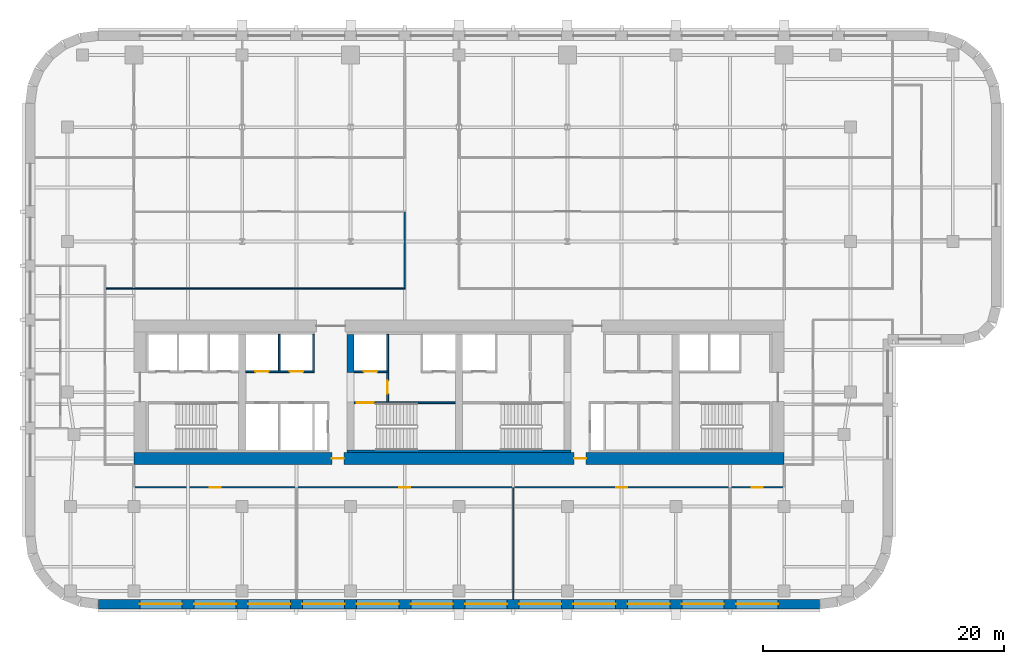
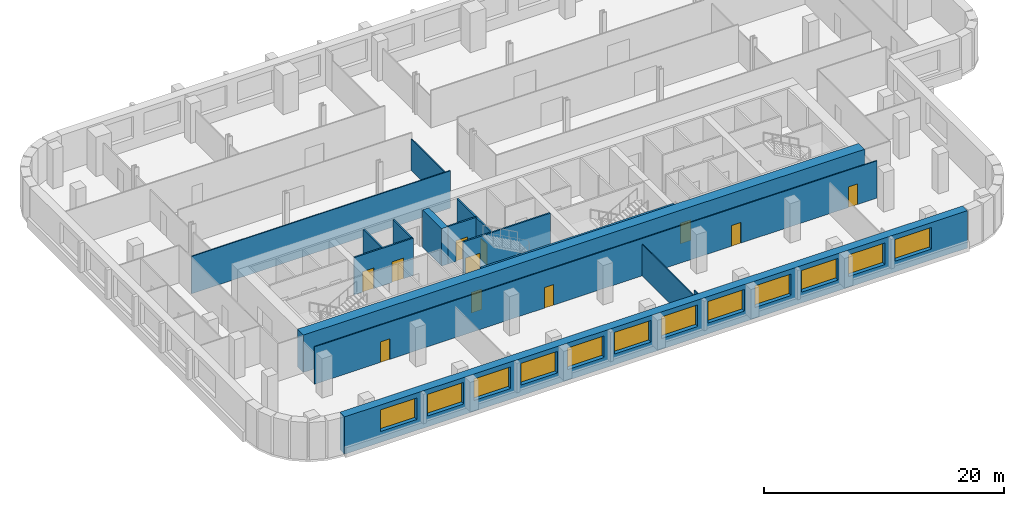
# One storey, part 4 of 10: 16 walls, 12 windows, 11 doors, 23 openings.
"""IFC4 building model written with IfcOpenShell, lengths in metres."""

from ifc_helpers import new_model, si_unit, direction, frame, frame_2d, origin, place, context, subcontext, project, spatial, rectangle, extrude, material, layer, layer_set, type_object, element, fill, save


model = new_model("IFC4")

# Units and contexts
model_context = context("Model", 3, precision=1e-05, world=origin(), true_north=direction((0.0, 1.0)))
body_context = subcontext(model_context, "Body", "Model", "MODEL_VIEW")
ifc_project = project(units=[si_unit("LENGTHUNIT", "METRE"), si_unit("AREAUNIT", "SQUARE_METRE"), si_unit("VOLUMEUNIT", "CUBIC_METRE"), si_unit("PLANEANGLEUNIT", "RADIAN"), si_unit("MASSUNIT", "GRAM", prefix="KILO")], contexts=[model_context])

# Site, building, storey
site_placement = place(None, origin())
site = spatial("IfcSite", under=ifc_project, at=site_placement, CompositionType="ELEMENT")
building_placement = place(site_placement, origin())
building = spatial("IfcBuilding", under=site, at=building_placement, Name="Zellij Exchange Tower", CompositionType="ELEMENT")
storey_placement = place(building_placement, frame((0.0, 0.0, 128.5)))
storey = spatial("IfcBuildingStorey", under=building, at=storey_placement, Name="L28", CompositionType="ELEMENT", Elevation=128.5)

# Walls
ifc_material_1 = material(Name="Concrete C70/85", Category="concrete")
ifc_layer_1 = layer(ifc_material_1, 0.60009765625)
ifc_layer_set_1 = layer_set([ifc_layer_1], Name="Concrete C70/85")
wall_type_1 = type_object("IfcWallType", Name="CORE-CW 600 C70/85", PredefinedType="SHEAR", material=ifc_layer_set_1)
wall_1_placement = place(storey_placement, frame((-9.0, -6.375, 0.0), z_axis=(0.0, 0.0, 1.0), x_axis=(0.0, 1.0, 0.0)))
element("IfcWall", 1, at=wall_1_placement, inside=storey, type_object=wall_type_1, Name="Core cross wall pier x -9 b L28", PredefinedType="SHEAR", context=body_context, shape_type="SweptSolid", body=[
    extrude(rectangle(XDim=3.175048828125, YDim=0.60009765625, at=frame_2d((1.58740234375, 0.0))), origin(), (0.0, 0.0, 1.0), 3.800048828125),
])
ifc_material_2 = material(Name="Concrete C30/37", Category="concrete")
ifc_layer_2 = layer(ifc_material_2, 0.199951171875)
ifc_layer_set_2 = layer_set([ifc_layer_2], Name="Concrete C30/37")
wall_type_2 = type_object("IfcWallType", Name="CORE-LW 200 C30/37", PredefinedType="SHEAR", material=ifc_layer_set_2)
wall_2_placement = place(storey_placement, frame((-9.300048828125, -12.89990234375, 0.0), z_axis=(0.0, 0.0, 1.0), x_axis=(1.0, 0.0, 0.0)))
element("IfcWall", 2, at=wall_2_placement, inside=storey, type_object=wall_type_2, Name="Core wall lining rear.1 L28", PredefinedType="SHEAR", context=body_context, shape_type="SweptSolid", body=[
    extrude(rectangle(XDim=18.60009765625, YDim=0.199951171875, at=frame_2d((9.300048828125, 0.0))), origin(), (0.0, 0.0, 1.0), 3.800048828125),
])

# Wall, opening, door
ifc_material_3 = material(Name="Gypsum shaft wall system")
ifc_layer_3 = layer(ifc_material_3, 0.14990234375)
ifc_layer_set_3 = layer_set([ifc_layer_3], Name="Gypsum shaft wall system")
wall_type_3 = type_object("IfcWallType", Name="CORE-PW 150 Firefighting lobby wall", PredefinedType="PARTITIONING", material=ifc_layer_set_3)
wall_3_placement = place(storey_placement, frame((-5.925048828125, -8.800048828125, 0.0), z_axis=(0.0, 0.0, 1.0), x_axis=(0.0, 1.0, 0.0)))
wall_3 = element("IfcWall", 3, at=wall_3_placement, inside=storey, type_object=wall_type_3, Name="Firefighting lobby wall L28", PredefinedType="PARTITIONING", context=body_context, shape_type="SweptSolid", body=[
    extrude(rectangle(XDim=2.425048828125, YDim=0.14990234375, at=frame_2d((1.21240234375, 0.0))), origin(), (0.0, 0.0, 1.0), 3.800048828125),
])
opening_1_placement = place(wall_3_placement, frame((0.662109375, 0.0, 0.0)))
opening_1 = element("IfcOpeningElement", 4, at=opening_1_placement, cuts=wall_3, Name="Opening CA-15.15", PredefinedType="OPENING", context=body_context, shape_type="SweptSolid", body=[
    extrude(rectangle(XDim=1.10009765625, YDim=2.10009765625, at=frame_2d((0.550048828125, 1.050048828125))), frame((0.0, 0.0869140625, 0.0), z_axis=(0.0, -1.0, 0.0), x_axis=(1.0, 0.0, 0.0)), (0.0, 0.0, 1.0), 0.173828125),
])
ifc_material_4 = material(Name="Hollow metal fire door")
door_type_1 = type_object("IfcDoorType", Name="CORE-D F Firefighting lobby door 1100x2100 1 HR", OperationType="NOTDEFINED", PredefinedType="DOOR", material=ifc_material_4)
door_1_placement = place(opening_1_placement, origin())
door_1 = element("IfcDoor", 5, at=door_1_placement, inside=storey, type_object=door_type_1, Name="Firefighting lobby door CA-15.15", OperationType="SINGLE_SWING_LEFT", OverallHeight=2.10009765625, OverallWidth=1.10009765625, PredefinedType="DOOR", context=body_context, shape_type="SweptSolid", body=[
    extrude(rectangle(XDim=1.10009765625, YDim=2.10009765625, at=frame_2d((0.550048828125, 1.050048828125))), frame((0.0, 0.02490234375, 0.0), z_axis=(0.0, -1.0, 0.0), x_axis=(1.0, 0.0, 0.0)), (0.0, 0.0, 1.0), 0.050048828125),
])
fill(opening_1, door_1)

# Walls
ifc_layer_4 = layer(ifc_material_3, 0.14990234375)
ifc_layer_set_4 = layer_set([ifc_layer_4], Name="Gypsum shaft wall system")
wall_type_4 = type_object("IfcWallType", Name="CORE-PW 150 Lift shaft wall", PredefinedType="PARTITIONING", material=ifc_layer_set_4)
for number, where, z_axis, x_axis, name in (
    (6, (-12.074951171875, -6.22509765625, 0.0), (0.0, 0.0, 1.0), (0.0, 1.0, 0.0), "Lift shaft wall L28"),
    (7, (-14.925048828125, -6.22509765625, 0.0), (0.0, 0.0, 1.0), (0.0, 1.0, 0.0), "Lift shaft wall L28"),
    (8, (-5.925048828125, -6.22509765625, 0.0), (0.0, 0.0, 1.0), (0.0, 1.0, 0.0), "Lift shaft wall L28"),
):
    element("IfcWall", number, at=place(storey_placement, frame(where, z_axis=z_axis, x_axis=x_axis)), inside=storey, type_object=wall_type_4, Name=name, PredefinedType="PARTITIONING", context=body_context, shape_type="SweptSolid", body=[
        extrude(rectangle(XDim=3.025146484375, YDim=0.14990234375, at=frame_2d((1.5126953125, 0.0))), origin(), (0.0, 0.0, 1.0), 3.800048828125),
    ])

# Wall, openings, doors
wall_4_placement = place(storey_placement, frame((-17.699951171875, -6.300048828125, 0.0), z_axis=(0.0, 0.0, 1.0), x_axis=(1.0, 0.0, 0.0)))
wall_4 = element("IfcWall", 9, at=wall_4_placement, inside=storey, type_object=wall_type_4, Name="Lift shaft wall L28", PredefinedType="PARTITIONING", context=body_context, shape_type="SweptSolid", body=[
    extrude(rectangle(XDim=5.699951171875, YDim=0.14990234375, at=frame_2d((2.85009765625, 0.0))), origin(), (0.0, 0.0, 1.0), 3.800048828125),
])
opening_2_placement = place(wall_4_placement, frame((0.800048828125, 0.0, 0.0)))
opening_2 = element("IfcOpeningElement", 10, at=opening_2_placement, cuts=wall_4, Name="Opening CA-15.07", PredefinedType="OPENING", context=body_context, shape_type="SweptSolid", body=[
    extrude(rectangle(XDim=1.10009765625, YDim=2.10009765625, at=frame_2d((0.550048828125, 1.050048828125))), frame((0.0, 0.0869140625, 0.0), z_axis=(0.0, -1.0, 0.0), x_axis=(1.0, 0.0, 0.0)), (0.0, 0.0, 1.0), 0.173828125),
])
opening_3_placement = place(wall_4_placement, frame((3.64990234375, 0.0, 0.0)))
opening_3 = element("IfcOpeningElement", 11, at=opening_3_placement, cuts=wall_4, Name="Opening CA-15.09", PredefinedType="OPENING", context=body_context, shape_type="SweptSolid", body=[
    extrude(rectangle(XDim=1.10009765625, YDim=2.10009765625, at=frame_2d((0.550048828125, 1.050048828125))), frame((0.0, 0.0869140625, 0.0), z_axis=(0.0, -1.0, 0.0), x_axis=(1.0, 0.0, 0.0)), (0.0, 0.0, 1.0), 0.173828125),
])
door_type_2 = type_object("IfcDoorType", Name="CORE-D LD Lift landing door 1100x2100 1.5 HR", OperationType="NOTDEFINED", PredefinedType="DOOR", material=ifc_material_4)
door_2_placement = place(opening_2_placement, origin())
door_2 = element("IfcDoor", 12, at=door_2_placement, inside=storey, type_object=door_type_2, Name="Lift landing door CA-15.07", OperationType="SLIDING_TO_LEFT", OverallHeight=2.10009765625, OverallWidth=1.10009765625, PredefinedType="DOOR", context=body_context, shape_type="SweptSolid", body=[
    extrude(rectangle(XDim=1.10009765625, YDim=2.10009765625, at=frame_2d((0.550048828125, 1.050048828125))), frame((0.0, 0.02490234375, 0.0), z_axis=(0.0, -1.0, 0.0), x_axis=(1.0, 0.0, 0.0)), (0.0, 0.0, 1.0), 0.050048828125),
])
fill(opening_2, door_2)
door_3_placement = place(opening_3_placement, origin())
door_3 = element("IfcDoor", 13, at=door_3_placement, inside=storey, type_object=door_type_2, Name="Lift landing door CA-15.09", OperationType="SLIDING_TO_LEFT", OverallHeight=2.10009765625, OverallWidth=1.10009765625, PredefinedType="DOOR", context=body_context, shape_type="SweptSolid", body=[
    extrude(rectangle(XDim=1.10009765625, YDim=2.10009765625, at=frame_2d((0.550048828125, 1.050048828125))), frame((0.0, 0.02490234375, 0.0), z_axis=(0.0, -1.0, 0.0), x_axis=(1.0, 0.0, 0.0)), (0.0, 0.0, 1.0), 0.050048828125),
])
fill(opening_3, door_3)

# Wall, opening, door
wall_5_placement = place(storey_placement, frame((-8.699951171875, -6.300048828125, 0.0), z_axis=(0.0, 0.0, 1.0), x_axis=(1.0, 0.0, 0.0)))
wall_5 = element("IfcWall", 14, at=wall_5_placement, inside=storey, type_object=wall_type_4, Name="Lift shaft wall L28", PredefinedType="PARTITIONING", context=body_context, shape_type="SweptSolid", body=[
    extrude(rectangle(XDim=2.849853515625, YDim=0.14990234375, at=frame_2d((1.4248046875, 0.0))), origin(), (0.0, 0.0, 1.0), 3.800048828125),
])
opening_4_placement = place(wall_5_placement, frame((0.800048828125, 0.0, 0.0)))
opening_4 = element("IfcOpeningElement", 15, at=opening_4_placement, cuts=wall_5, Name="Opening CA-15.14", PredefinedType="OPENING", context=body_context, shape_type="SweptSolid", body=[
    extrude(rectangle(XDim=1.10009765625, YDim=2.10009765625, at=frame_2d((0.550048828125, 1.050048828125))), frame((0.0, 0.0869140625, 0.0), z_axis=(0.0, -1.0, 0.0), x_axis=(1.0, 0.0, 0.0)), (0.0, 0.0, 1.0), 0.173828125),
])
door_4_placement = place(opening_4_placement, origin())
door_4 = element("IfcDoor", 16, at=door_4_placement, inside=storey, type_object=door_type_2, Name="Lift landing door CA-15.14", OperationType="SLIDING_TO_RIGHT", OverallHeight=2.10009765625, OverallWidth=1.10009765625, PredefinedType="DOOR", context=body_context, shape_type="SweptSolid", body=[
    extrude(rectangle(XDim=1.10009765625, YDim=2.10009765625, at=frame_2d((0.550048828125, 1.050048828125))), frame((0.0, 0.02490234375, 0.0), z_axis=(0.0, -1.0, 0.0), x_axis=(1.0, 0.0, 0.0)), (0.0, 0.0, 1.0), 0.050048828125),
])
fill(opening_4, door_4)

# Wall, openings, doors
ifc_layer_5 = layer(ifc_material_1, 1.0)
ifc_layer_set_5 = layer_set([ifc_layer_5], Name="Concrete C70/85")
wall_type_5 = type_object("IfcWallType", Name="CORE-SW 1000 C70/85", PredefinedType="SHEAR", material=ifc_layer_set_5)
wall_6_placement = place(storey_placement, frame((-27.0, -13.5, 0.0), z_axis=(0.0, 0.0, 1.0), x_axis=(1.0, 0.0, 0.0)))
wall_6 = element("IfcWall", 17, at=wall_6_placement, inside=storey, type_object=wall_type_5, Name="Core shear wall rear L28", PredefinedType="SHEAR", context=body_context, shape_type="SweptSolid", body=[
    extrude(rectangle(XDim=54.0, YDim=1.0, at=frame_2d((27.0, 0.0))), origin(), (0.0, 0.0, 1.0), 3.800048828125),
])
opening_5_placement = place(wall_6_placement, frame((16.449951171875, 0.0, 0.0)))
opening_5 = element("IfcOpeningElement", 18, at=opening_5_placement, cuts=wall_6, Name="Opening CA-15.12", PredefinedType="OPENING", context=body_context, shape_type="SweptSolid", body=[
    extrude(rectangle(XDim=1.0, YDim=2.10009765625, at=frame_2d((0.5, 1.050048828125))), frame((0.0, 0.511962890625, 0.0), z_axis=(0.0, -1.0, 0.0), x_axis=(1.0, 0.0, 0.0)), (0.0, 0.0, 1.0), 1.02392578125),
])
opening_6_placement = place(wall_6_placement, frame((36.550048828125, 0.0, 0.0)))
opening_6 = element("IfcOpeningElement", 19, at=opening_6_placement, cuts=wall_6, Name="Opening CA-15.20", PredefinedType="OPENING", context=body_context, shape_type="SweptSolid", body=[
    extrude(rectangle(XDim=1.0, YDim=2.10009765625, at=frame_2d((0.5, 1.050048828125))), frame((0.0, 0.511962890625, 0.0), z_axis=(0.0, -1.0, 0.0), x_axis=(1.0, 0.0, 0.0)), (0.0, 0.0, 1.0), 1.02392578125),
])
door_type_3 = type_object("IfcDoorType", Name="CORE-D CR Core rear door 1000x2100 20 MIN", OperationType="NOTDEFINED", PredefinedType="DOOR", material=ifc_material_4)
door_5_placement = place(opening_5_placement, origin())
door_5 = element("IfcDoor", 20, at=door_5_placement, inside=storey, type_object=door_type_3, Name="Core rear door CA-15.12", OperationType="SINGLE_SWING_RIGHT", OverallHeight=2.10009765625, OverallWidth=1.0, PredefinedType="DOOR", context=body_context, shape_type="SweptSolid", body=[
    extrude(rectangle(XDim=1.0, YDim=2.10009765625, at=frame_2d((0.5, 1.050048828125))), frame((0.0, 0.02490234375, 0.0), z_axis=(0.0, -1.0, 0.0), x_axis=(1.0, 0.0, 0.0)), (0.0, 0.0, 1.0), 0.050048828125),
])
fill(opening_5, door_5)
door_6_placement = place(opening_6_placement, origin())
door_6 = element("IfcDoor", 21, at=door_6_placement, inside=storey, type_object=door_type_3, Name="Core rear door CA-15.20", OperationType="SINGLE_SWING_LEFT", OverallHeight=2.10009765625, OverallWidth=1.0, PredefinedType="DOOR", context=body_context, shape_type="SweptSolid", body=[
    extrude(rectangle(XDim=1.0, YDim=2.10009765625, at=frame_2d((0.5, 1.050048828125))), frame((0.0, 0.02490234375, 0.0), z_axis=(0.0, -1.0, 0.0), x_axis=(1.0, 0.0, 0.0)), (0.0, 0.0, 1.0), 0.050048828125),
])
fill(opening_6, door_6)

# Wall, opening, door
ifc_layer_6 = layer(ifc_material_1, 0.14990234375)
ifc_layer_set_6 = layer_set([ifc_layer_6], Name="Concrete C70/85")
wall_type_6 = type_object("IfcWallType", Name="CORE-SWS 150 C70/85", PredefinedType="SHEAR", material=ifc_layer_set_6)
wall_7_placement = place(storey_placement, frame((-8.699951171875, -8.875, 0.0), z_axis=(0.0, 0.0, 1.0), x_axis=(1.0, 0.0, 0.0)))
wall_7 = element("IfcWall", 22, at=wall_7_placement, inside=storey, type_object=wall_type_6, Name="Stair enclosure wall L28", PredefinedType="SHEAR", context=body_context, shape_type="SweptSolid", body=[
    extrude(rectangle(XDim=8.39990234375, YDim=0.14990234375, at=frame_2d((4.199951171875, 0.0))), origin(), (0.0, 0.0, 1.0), 3.800048828125),
])
opening_7_placement = place(wall_7_placement, frame((0.22509765625, 0.0, 0.0)))
opening_7 = element("IfcOpeningElement", 23, at=opening_7_placement, cuts=wall_7, Name="Opening CA-15.13", PredefinedType="OPENING", context=body_context, shape_type="SweptSolid", body=[
    extrude(rectangle(XDim=1.39990234375, YDim=2.10009765625, at=frame_2d((0.699951171875, 1.050048828125))), frame((0.0, 0.0869140625, 0.0), z_axis=(0.0, -1.0, 0.0), x_axis=(1.0, 0.0, 0.0)), (0.0, 0.0, 1.0), 0.173828125),
])
door_type_4 = type_object("IfcDoorType", Name="CORE-D SD Stair door 1400x2100 1.5 HR", OperationType="NOTDEFINED", PredefinedType="DOOR", material=ifc_material_4)
door_7_placement = place(opening_7_placement, origin())
door_7 = element("IfcDoor", 24, at=door_7_placement, inside=storey, type_object=door_type_4, Name="Stair door CA-15.13", OperationType="DOUBLE_DOOR_SINGLE_SWING", OverallHeight=2.10009765625, OverallWidth=1.39990234375, PredefinedType="DOOR", context=body_context, shape_type="SweptSolid", body=[
    extrude(rectangle(XDim=1.39990234375, YDim=2.10009765625, at=frame_2d((0.699951171875, 1.050048828125))), frame((0.0, 0.02490234375, 0.0), z_axis=(0.0, -1.0, 0.0), x_axis=(1.0, 0.0, 0.0)), (0.0, 0.0, 1.0), 0.050048828125),
])
fill(opening_7, door_7)

# Wall, openings, windows
ifc_material_5 = material(Name="Precast concrete C40/50", Category="concrete")
ifc_layer_7 = layer(ifc_material_5, 0.800048828125)
ifc_layer_set_7 = layer_set([ifc_layer_7], Name="Precast concrete C40/50")
wall_type_7 = type_object("IfcWallType", Name="ENV-EW1 Precast stone-piered wall 800", PredefinedType="SOLIDWALL", material=ifc_layer_set_7)
wall_8_placement = place(storey_placement, frame((-29.947509765625, -25.60009765625, 0.0), z_axis=(0.0, 0.0, 1.0), x_axis=(1.0, 0.0, 0.0)))
wall_8 = element("IfcWall", 25, at=wall_8_placement, inside=storey, type_object=wall_type_7, Name="fac.L28.00", PredefinedType="SOLIDWALL", context=body_context, shape_type="SweptSolid", body=[
    extrude(rectangle(XDim=59.89501953125, YDim=0.800048828125, at=frame_2d((29.947509765625, 0.0))), origin(), (0.0, 0.0, 1.0), 3.800048828125),
])
opening_8_placement = place(wall_8_placement, frame((3.447509765625, 0.0, 1.10009765625)))
opening_8 = element("IfcOpeningElement", 26, at=opening_8_placement, cuts=wall_8, Name="Opening FZ2.01", PredefinedType="OPENING", context=body_context, shape_type="SweptSolid", body=[
    extrude(rectangle(XDim=3.5, YDim=2.199951171875, at=frame_2d((1.75, 1.10009765625))), frame((0.0, 0.412109375, 0.0), z_axis=(0.0, -1.0, 0.0), x_axis=(1.0, 0.0, 0.0)), (0.0, 0.0, 1.0), 0.823974609375),
])
opening_9_placement = place(wall_8_placement, frame((7.947509765625, 0.0, 1.10009765625)))
opening_9 = element("IfcOpeningElement", 27, at=opening_9_placement, cuts=wall_8, Name="Opening FZ2.02", PredefinedType="OPENING", context=body_context, shape_type="SweptSolid", body=[
    extrude(rectangle(XDim=3.5, YDim=2.199951171875, at=frame_2d((1.75, 1.10009765625))), frame((0.0, 0.412109375, 0.0), z_axis=(0.0, -1.0, 0.0), x_axis=(1.0, 0.0, 0.0)), (0.0, 0.0, 1.0), 0.823974609375),
])
opening_10_placement = place(wall_8_placement, frame((12.447509765625, 0.0, 1.10009765625)))
opening_10 = element("IfcOpeningElement", 28, at=opening_10_placement, cuts=wall_8, Name="Opening FZ2.03", PredefinedType="OPENING", context=body_context, shape_type="SweptSolid", body=[
    extrude(rectangle(XDim=3.5, YDim=2.199951171875, at=frame_2d((1.75, 1.10009765625))), frame((0.0, 0.412109375, 0.0), z_axis=(0.0, -1.0, 0.0), x_axis=(1.0, 0.0, 0.0)), (0.0, 0.0, 1.0), 0.823974609375),
])
opening_11_placement = place(wall_8_placement, frame((16.947509765625, 0.0, 1.10009765625)))
opening_11 = element("IfcOpeningElement", 29, at=opening_11_placement, cuts=wall_8, Name="Opening FZ2.04", PredefinedType="OPENING", context=body_context, shape_type="SweptSolid", body=[
    extrude(rectangle(XDim=3.5, YDim=2.199951171875, at=frame_2d((1.75, 1.10009765625))), frame((0.0, 0.412109375, 0.0), z_axis=(0.0, -1.0, 0.0), x_axis=(1.0, 0.0, 0.0)), (0.0, 0.0, 1.0), 0.823974609375),
])
opening_12_placement = place(wall_8_placement, frame((21.447509765625, 0.0, 1.10009765625)))
opening_12 = element("IfcOpeningElement", 30, at=opening_12_placement, cuts=wall_8, Name="Opening FZ2.05", PredefinedType="OPENING", context=body_context, shape_type="SweptSolid", body=[
    extrude(rectangle(XDim=3.5, YDim=2.199951171875, at=frame_2d((1.75, 1.10009765625))), frame((0.0, 0.412109375, 0.0), z_axis=(0.0, -1.0, 0.0), x_axis=(1.0, 0.0, 0.0)), (0.0, 0.0, 1.0), 0.823974609375),
])
opening_13_placement = place(wall_8_placement, frame((25.947509765625, 0.0, 1.10009765625)))
opening_13 = element("IfcOpeningElement", 31, at=opening_13_placement, cuts=wall_8, Name="Opening FZ2.06", PredefinedType="OPENING", context=body_context, shape_type="SweptSolid", body=[
    extrude(rectangle(XDim=3.5, YDim=2.199951171875, at=frame_2d((1.75, 1.10009765625))), frame((0.0, 0.412109375, 0.0), z_axis=(0.0, -1.0, 0.0), x_axis=(1.0, 0.0, 0.0)), (0.0, 0.0, 1.0), 0.823974609375),
])
opening_14_placement = place(wall_8_placement, frame((30.447509765625, 0.0, 1.10009765625)))
opening_14 = element("IfcOpeningElement", 32, at=opening_14_placement, cuts=wall_8, Name="Opening FZ2.07", PredefinedType="OPENING", context=body_context, shape_type="SweptSolid", body=[
    extrude(rectangle(XDim=3.5, YDim=2.199951171875, at=frame_2d((1.75, 1.10009765625))), frame((0.0, 0.412109375, 0.0), z_axis=(0.0, -1.0, 0.0), x_axis=(1.0, 0.0, 0.0)), (0.0, 0.0, 1.0), 0.823974609375),
])
opening_15_placement = place(wall_8_placement, frame((34.947509765625, 0.0, 1.10009765625)))
opening_15 = element("IfcOpeningElement", 33, at=opening_15_placement, cuts=wall_8, Name="Opening FZ2.08", PredefinedType="OPENING", context=body_context, shape_type="SweptSolid", body=[
    extrude(rectangle(XDim=3.5, YDim=2.199951171875, at=frame_2d((1.75, 1.10009765625))), frame((0.0, 0.412109375, 0.0), z_axis=(0.0, -1.0, 0.0), x_axis=(1.0, 0.0, 0.0)), (0.0, 0.0, 1.0), 0.823974609375),
])
opening_16_placement = place(wall_8_placement, frame((39.447509765625, 0.0, 1.10009765625)))
opening_16 = element("IfcOpeningElement", 34, at=opening_16_placement, cuts=wall_8, Name="Opening FZ2.09", PredefinedType="OPENING", context=body_context, shape_type="SweptSolid", body=[
    extrude(rectangle(XDim=3.5, YDim=2.199951171875, at=frame_2d((1.75, 1.10009765625))), frame((0.0, 0.412109375, 0.0), z_axis=(0.0, -1.0, 0.0), x_axis=(1.0, 0.0, 0.0)), (0.0, 0.0, 1.0), 0.823974609375),
])
opening_17_placement = place(wall_8_placement, frame((43.947509765625, 0.0, 1.10009765625)))
opening_17 = element("IfcOpeningElement", 35, at=opening_17_placement, cuts=wall_8, Name="Opening FZ2.10", PredefinedType="OPENING", context=body_context, shape_type="SweptSolid", body=[
    extrude(rectangle(XDim=3.5, YDim=2.199951171875, at=frame_2d((1.75, 1.10009765625))), frame((0.0, 0.412109375, 0.0), z_axis=(0.0, -1.0, 0.0), x_axis=(1.0, 0.0, 0.0)), (0.0, 0.0, 1.0), 0.823974609375),
])
opening_18_placement = place(wall_8_placement, frame((48.447509765625, 0.0, 1.10009765625)))
opening_18 = element("IfcOpeningElement", 36, at=opening_18_placement, cuts=wall_8, Name="Opening FZ2.11", PredefinedType="OPENING", context=body_context, shape_type="SweptSolid", body=[
    extrude(rectangle(XDim=3.5, YDim=2.199951171875, at=frame_2d((1.75, 1.10009765625))), frame((0.0, 0.412109375, 0.0), z_axis=(0.0, -1.0, 0.0), x_axis=(1.0, 0.0, 0.0)), (0.0, 0.0, 1.0), 0.823974609375),
])
opening_19_placement = place(wall_8_placement, frame((52.947509765625, 0.0, 1.10009765625)))
opening_19 = element("IfcOpeningElement", 37, at=opening_19_placement, cuts=wall_8, Name="Opening FZ2.12", PredefinedType="OPENING", context=body_context, shape_type="SweptSolid", body=[
    extrude(rectangle(XDim=3.5, YDim=2.199951171875, at=frame_2d((1.75, 1.10009765625))), frame((0.0, 0.412109375, 0.0), z_axis=(0.0, -1.0, 0.0), x_axis=(1.0, 0.0, 0.0)), (0.0, 0.0, 1.0), 0.823974609375),
])
ifc_material_6 = material(Name="Aluminium frame with insulating glass", Category="aluminium")
window_type = type_object("IfcWindowType", Name="ENV-W7 Window 3500x2200", PartitioningType="SINGLE_PANEL", PredefinedType="WINDOW", material=ifc_material_6)
window_1_placement = place(opening_8_placement, origin())
window_1 = element("IfcWindow", 38, at=window_1_placement, inside=storey, type_object=window_type, Name="Window FZ2.01", OverallHeight=2.199951171875, OverallWidth=3.5, PartitioningType="SINGLE_PANEL", PredefinedType="WINDOW", context=body_context, shape_type="SweptSolid", body=[
    extrude(rectangle(XDim=3.5, YDim=2.199951171875, at=frame_2d((1.75, 1.10009765625))), frame((0.0, 0.030029296875, 0.0), z_axis=(0.0, -1.0, 0.0), x_axis=(1.0, 0.0, 0.0)), (0.0, 0.0, 1.0), 0.06005859375),
])
fill(opening_8, window_1)
window_2_placement = place(opening_9_placement, origin())
window_2 = element("IfcWindow", 39, at=window_2_placement, inside=storey, type_object=window_type, Name="Window FZ2.02", OverallHeight=2.199951171875, OverallWidth=3.5, PartitioningType="SINGLE_PANEL", PredefinedType="WINDOW", context=body_context, shape_type="SweptSolid", body=[
    extrude(rectangle(XDim=3.5, YDim=2.199951171875, at=frame_2d((1.75, 1.10009765625))), frame((0.0, 0.030029296875, 0.0), z_axis=(0.0, -1.0, 0.0), x_axis=(1.0, 0.0, 0.0)), (0.0, 0.0, 1.0), 0.06005859375),
])
fill(opening_9, window_2)
window_3_placement = place(opening_10_placement, origin())
window_3 = element("IfcWindow", 40, at=window_3_placement, inside=storey, type_object=window_type, Name="Window FZ2.03", OverallHeight=2.199951171875, OverallWidth=3.5, PartitioningType="SINGLE_PANEL", PredefinedType="WINDOW", context=body_context, shape_type="SweptSolid", body=[
    extrude(rectangle(XDim=3.5, YDim=2.199951171875, at=frame_2d((1.75, 1.10009765625))), frame((0.0, 0.030029296875, 0.0), z_axis=(0.0, -1.0, 0.0), x_axis=(1.0, 0.0, 0.0)), (0.0, 0.0, 1.0), 0.06005859375),
])
fill(opening_10, window_3)
window_4_placement = place(opening_11_placement, origin())
window_4 = element("IfcWindow", 41, at=window_4_placement, inside=storey, type_object=window_type, Name="Window FZ2.04", OverallHeight=2.199951171875, OverallWidth=3.5, PartitioningType="SINGLE_PANEL", PredefinedType="WINDOW", context=body_context, shape_type="SweptSolid", body=[
    extrude(rectangle(XDim=3.5, YDim=2.199951171875, at=frame_2d((1.75, 1.10009765625))), frame((0.0, 0.030029296875, 0.0), z_axis=(0.0, -1.0, 0.0), x_axis=(1.0, 0.0, 0.0)), (0.0, 0.0, 1.0), 0.06005859375),
])
fill(opening_11, window_4)
window_5_placement = place(opening_12_placement, origin())
window_5 = element("IfcWindow", 42, at=window_5_placement, inside=storey, type_object=window_type, Name="Window FZ2.05", OverallHeight=2.199951171875, OverallWidth=3.5, PartitioningType="SINGLE_PANEL", PredefinedType="WINDOW", context=body_context, shape_type="SweptSolid", body=[
    extrude(rectangle(XDim=3.5, YDim=2.199951171875, at=frame_2d((1.75, 1.10009765625))), frame((0.0, 0.030029296875, 0.0), z_axis=(0.0, -1.0, 0.0), x_axis=(1.0, 0.0, 0.0)), (0.0, 0.0, 1.0), 0.06005859375),
])
fill(opening_12, window_5)
window_6_placement = place(opening_13_placement, origin())
window_6 = element("IfcWindow", 43, at=window_6_placement, inside=storey, type_object=window_type, Name="Window FZ2.06", OverallHeight=2.199951171875, OverallWidth=3.5, PartitioningType="SINGLE_PANEL", PredefinedType="WINDOW", context=body_context, shape_type="SweptSolid", body=[
    extrude(rectangle(XDim=3.5, YDim=2.199951171875, at=frame_2d((1.75, 1.10009765625))), frame((0.0, 0.030029296875, 0.0), z_axis=(0.0, -1.0, 0.0), x_axis=(1.0, 0.0, 0.0)), (0.0, 0.0, 1.0), 0.06005859375),
])
fill(opening_13, window_6)
window_7_placement = place(opening_14_placement, origin())
window_7 = element("IfcWindow", 44, at=window_7_placement, inside=storey, type_object=window_type, Name="Window FZ2.07", OverallHeight=2.199951171875, OverallWidth=3.5, PartitioningType="SINGLE_PANEL", PredefinedType="WINDOW", context=body_context, shape_type="SweptSolid", body=[
    extrude(rectangle(XDim=3.5, YDim=2.199951171875, at=frame_2d((1.75, 1.10009765625))), frame((0.0, 0.030029296875, 0.0), z_axis=(0.0, -1.0, 0.0), x_axis=(1.0, 0.0, 0.0)), (0.0, 0.0, 1.0), 0.06005859375),
])
fill(opening_14, window_7)
window_8_placement = place(opening_15_placement, origin())
window_8 = element("IfcWindow", 45, at=window_8_placement, inside=storey, type_object=window_type, Name="Window FZ2.08", OverallHeight=2.199951171875, OverallWidth=3.5, PartitioningType="SINGLE_PANEL", PredefinedType="WINDOW", context=body_context, shape_type="SweptSolid", body=[
    extrude(rectangle(XDim=3.5, YDim=2.199951171875, at=frame_2d((1.75, 1.10009765625))), frame((0.0, 0.030029296875, 0.0), z_axis=(0.0, -1.0, 0.0), x_axis=(1.0, 0.0, 0.0)), (0.0, 0.0, 1.0), 0.06005859375),
])
fill(opening_15, window_8)
window_9_placement = place(opening_16_placement, origin())
window_9 = element("IfcWindow", 46, at=window_9_placement, inside=storey, type_object=window_type, Name="Window FZ2.09", OverallHeight=2.199951171875, OverallWidth=3.5, PartitioningType="SINGLE_PANEL", PredefinedType="WINDOW", context=body_context, shape_type="SweptSolid", body=[
    extrude(rectangle(XDim=3.5, YDim=2.199951171875, at=frame_2d((1.75, 1.10009765625))), frame((0.0, 0.030029296875, 0.0), z_axis=(0.0, -1.0, 0.0), x_axis=(1.0, 0.0, 0.0)), (0.0, 0.0, 1.0), 0.06005859375),
])
fill(opening_16, window_9)
window_10_placement = place(opening_17_placement, origin())
window_10 = element("IfcWindow", 47, at=window_10_placement, inside=storey, type_object=window_type, Name="Window FZ2.10", OverallHeight=2.199951171875, OverallWidth=3.5, PartitioningType="SINGLE_PANEL", PredefinedType="WINDOW", context=body_context, shape_type="SweptSolid", body=[
    extrude(rectangle(XDim=3.5, YDim=2.199951171875, at=frame_2d((1.75, 1.10009765625))), frame((0.0, 0.030029296875, 0.0), z_axis=(0.0, -1.0, 0.0), x_axis=(1.0, 0.0, 0.0)), (0.0, 0.0, 1.0), 0.06005859375),
])
fill(opening_17, window_10)
window_11_placement = place(opening_18_placement, origin())
window_11 = element("IfcWindow", 48, at=window_11_placement, inside=storey, type_object=window_type, Name="Window FZ2.11", OverallHeight=2.199951171875, OverallWidth=3.5, PartitioningType="SINGLE_PANEL", PredefinedType="WINDOW", context=body_context, shape_type="SweptSolid", body=[
    extrude(rectangle(XDim=3.5, YDim=2.199951171875, at=frame_2d((1.75, 1.10009765625))), frame((0.0, 0.030029296875, 0.0), z_axis=(0.0, -1.0, 0.0), x_axis=(1.0, 0.0, 0.0)), (0.0, 0.0, 1.0), 0.06005859375),
])
fill(opening_18, window_11)
window_12_placement = place(opening_19_placement, origin())
window_12 = element("IfcWindow", 49, at=window_12_placement, inside=storey, type_object=window_type, Name="Window FZ2.12", OverallHeight=2.199951171875, OverallWidth=3.5, PartitioningType="SINGLE_PANEL", PredefinedType="WINDOW", context=body_context, shape_type="SweptSolid", body=[
    extrude(rectangle(XDim=3.5, YDim=2.199951171875, at=frame_2d((1.75, 1.10009765625))), frame((0.0, 0.030029296875, 0.0), z_axis=(0.0, -1.0, 0.0), x_axis=(1.0, 0.0, 0.0)), (0.0, 0.0, 1.0), 0.06005859375),
])
fill(opening_19, window_12)

# Walls
ifc_material_7 = material(Name="Gypsum board partition on steel studs", Category="steel")
ifc_layer_8 = layer(ifc_material_7, 0.10009765625)
ifc_layer_set_8 = layer_set([ifc_layer_8], Name="Gypsum board partition on steel studs")
wall_type_8 = type_object("IfcWallType", Name="FIT-PARTITION-100", PredefinedType="PARTITIONING", material=ifc_layer_set_8)
wall_9_placement = place(storey_placement, frame((4.5, -25.199951171875, 0.0), z_axis=(0.0, 0.0, 1.0), x_axis=(0.0, 1.0, 0.0)))
element("IfcWall", 50, at=wall_9_placement, inside=storey, type_object=wall_type_8, Name="FIT-PARTITION-100 003", PredefinedType="PARTITIONING", context=body_context, shape_type="SweptSolid", body=[
    extrude(rectangle(XDim=0.58544921875, YDim=0.10009765625, at=frame_2d((0.292724609375, 0.0))), origin(), (0.0, 0.0, 1.0), 3.800048828125),
])
wall_10_placement = place(storey_placement, frame((4.5, -24.614501953125, 0.0), z_axis=(0.0, 0.0, 1.0), x_axis=(0.0, 1.0, 0.0)))
element("IfcWall", 51, at=wall_10_placement, inside=storey, type_object=wall_type_8, Name="FIT-PARTITION-100 004", PredefinedType="PARTITIONING", context=body_context, shape_type="SweptSolid", body=[
    extrude(rectangle(XDim=8.66455078125, YDim=0.10009765625, at=frame_2d((4.332275390625, 0.0))), origin(), (0.0, 0.0, 1.0), 3.197998046875),
])

# Wall, openings, doors
wall_11_placement = place(storey_placement, frame((-27.050048828125, -15.89990234375, 0.0), z_axis=(0.0, 0.0, 1.0), x_axis=(1.0, 0.0, 0.0)))
wall_11 = element("IfcWall", 52, at=wall_11_placement, inside=storey, type_object=wall_type_8, Name="FIT-PARTITION-100 007", PredefinedType="PARTITIONING", context=body_context, shape_type="SweptSolid", body=[
    extrude(rectangle(XDim=54.10009765625, YDim=0.10009765625, at=frame_2d((27.050048828125, 0.0))), origin(), (0.0, 0.0, 1.0), 3.800048828125),
])
opening_20_placement = place(wall_11_placement, frame((6.35009765625, 0.0, 0.0)))
opening_20 = element("IfcOpeningElement", 53, at=opening_20_placement, cuts=wall_11, Name="Opening TF.01", PredefinedType="OPENING", context=body_context, shape_type="SweptSolid", body=[
    extrude(rectangle(XDim=0.89990234375, YDim=2.10009765625, at=frame_2d((0.449951171875, 1.050048828125))), frame((0.0, 0.06201171875, 0.0), z_axis=(0.0, -1.0, 0.0), x_axis=(1.0, 0.0, 0.0)), (0.0, 0.0, 1.0), 0.1240234375),
])
opening_21_placement = place(wall_11_placement, frame((22.10009765625, 0.0, 0.0)))
opening_21 = element("IfcOpeningElement", 54, at=opening_21_placement, cuts=wall_11, Name="Opening TF.02", PredefinedType="OPENING", context=body_context, shape_type="SweptSolid", body=[
    extrude(rectangle(XDim=0.89990234375, YDim=2.10009765625, at=frame_2d((0.449951171875, 1.050048828125))), frame((0.0, 0.06201171875, 0.0), z_axis=(0.0, -1.0, 0.0), x_axis=(1.0, 0.0, 0.0)), (0.0, 0.0, 1.0), 0.1240234375),
])
opening_22_placement = place(wall_11_placement, frame((40.10009765625, 0.0, 0.0)))
opening_22 = element("IfcOpeningElement", 55, at=opening_22_placement, cuts=wall_11, Name="Opening TF.03", PredefinedType="OPENING", context=body_context, shape_type="SweptSolid", body=[
    extrude(rectangle(XDim=0.89990234375, YDim=2.10009765625, at=frame_2d((0.449951171875, 1.050048828125))), frame((0.0, 0.06201171875, 0.0), z_axis=(0.0, -1.0, 0.0), x_axis=(1.0, 0.0, 0.0)), (0.0, 0.0, 1.0), 0.1240234375),
])
opening_23_placement = place(wall_11_placement, frame((51.35009765625, 0.0, 0.0)))
opening_23 = element("IfcOpeningElement", 56, at=opening_23_placement, cuts=wall_11, Name="Opening TF.04", PredefinedType="OPENING", context=body_context, shape_type="SweptSolid", body=[
    extrude(rectangle(XDim=0.89990234375, YDim=2.10009765625, at=frame_2d((0.449951171875, 1.050048828125))), frame((0.0, 0.06201171875, 0.0), z_axis=(0.0, -1.0, 0.0), x_axis=(1.0, 0.0, 0.0)), (0.0, 0.0, 1.0), 0.1240234375),
])
ifc_material_8 = material(Name="Timber door set", Category="wood")
door_type_5 = type_object("IfcDoorType", Name="FIT-D1-ROOM-900X2100", OperationType="SINGLE_SWING_LEFT", PredefinedType="DOOR", material=ifc_material_8)
door_8_placement = place(opening_20_placement, origin())
door_8 = element("IfcDoor", 57, at=door_8_placement, inside=storey, type_object=door_type_5, Name="Door TF.01", OperationType="SINGLE_SWING_LEFT", OverallHeight=2.10009765625, OverallWidth=0.89990234375, PredefinedType="DOOR", context=body_context, shape_type="SweptSolid", body=[
    extrude(rectangle(XDim=0.89990234375, YDim=2.10009765625, at=frame_2d((0.449951171875, 1.050048828125))), frame((0.0, 0.02490234375, 0.0), z_axis=(0.0, -1.0, 0.0), x_axis=(1.0, 0.0, 0.0)), (0.0, 0.0, 1.0), 0.050048828125),
])
fill(opening_20, door_8)
door_9_placement = place(opening_21_placement, origin())
door_9 = element("IfcDoor", 58, at=door_9_placement, inside=storey, type_object=door_type_5, Name="Door TF.02", OperationType="SINGLE_SWING_LEFT", OverallHeight=2.10009765625, OverallWidth=0.89990234375, PredefinedType="DOOR", context=body_context, shape_type="SweptSolid", body=[
    extrude(rectangle(XDim=0.89990234375, YDim=2.10009765625, at=frame_2d((0.449951171875, 1.050048828125))), frame((0.0, 0.02490234375, 0.0), z_axis=(0.0, -1.0, 0.0), x_axis=(1.0, 0.0, 0.0)), (0.0, 0.0, 1.0), 0.050048828125),
])
fill(opening_21, door_9)
door_10_placement = place(opening_22_placement, origin())
door_10 = element("IfcDoor", 59, at=door_10_placement, inside=storey, type_object=door_type_5, Name="Door TF.03", OperationType="SINGLE_SWING_LEFT", OverallHeight=2.10009765625, OverallWidth=0.89990234375, PredefinedType="DOOR", context=body_context, shape_type="SweptSolid", body=[
    extrude(rectangle(XDim=0.89990234375, YDim=2.10009765625, at=frame_2d((0.449951171875, 1.050048828125))), frame((0.0, 0.02490234375, 0.0), z_axis=(0.0, -1.0, 0.0), x_axis=(1.0, 0.0, 0.0)), (0.0, 0.0, 1.0), 0.050048828125),
])
fill(opening_22, door_10)
door_11_placement = place(opening_23_placement, origin())
door_11 = element("IfcDoor", 60, at=door_11_placement, inside=storey, type_object=door_type_5, Name="Door TF.04", OperationType="SINGLE_SWING_LEFT", OverallHeight=2.10009765625, OverallWidth=0.89990234375, PredefinedType="DOOR", context=body_context, shape_type="SweptSolid", body=[
    extrude(rectangle(XDim=0.89990234375, YDim=2.10009765625, at=frame_2d((0.449951171875, 1.050048828125))), frame((0.0, 0.02490234375, 0.0), z_axis=(0.0, -1.0, 0.0), x_axis=(1.0, 0.0, 0.0)), (0.0, 0.0, 1.0), 0.050048828125),
])
fill(opening_23, door_11)

# Walls
wall_12_placement = place(storey_placement, frame((-29.35009765625, 0.60009765625, 0.0), z_axis=(0.0, 0.0, 1.0), x_axis=(1.0, 0.0, 0.0)))
element("IfcWall", 61, at=wall_12_placement, inside=storey, type_object=wall_type_8, Name="FIT-PARTITION-100 023", PredefinedType="PARTITIONING", context=body_context, shape_type="SweptSolid", body=[
    extrude(rectangle(XDim=24.900146484375, YDim=0.10009765625, at=frame_2d((12.4501953125, 0.0))), origin(), (0.0, 0.0, 1.0), 3.800048828125),
])
wall_13_placement = place(storey_placement, frame((-4.5, 0.64990234375, 0.0), z_axis=(0.0, 0.0, 1.0), x_axis=(0.0, 1.0, 0.0)))
element("IfcWall", 62, at=wall_13_placement, inside=storey, type_object=wall_type_8, Name="FIT-PARTITION-100 026", PredefinedType="PARTITIONING", context=body_context, shape_type="SweptSolid", body=[
    extrude(rectangle(XDim=6.2900390625, YDim=0.10009765625, at=frame_2d((3.14501953125, 0.0))), origin(), (0.0, 0.0, 1.0), 3.197998046875),
])

save(model, "model.ifc")
